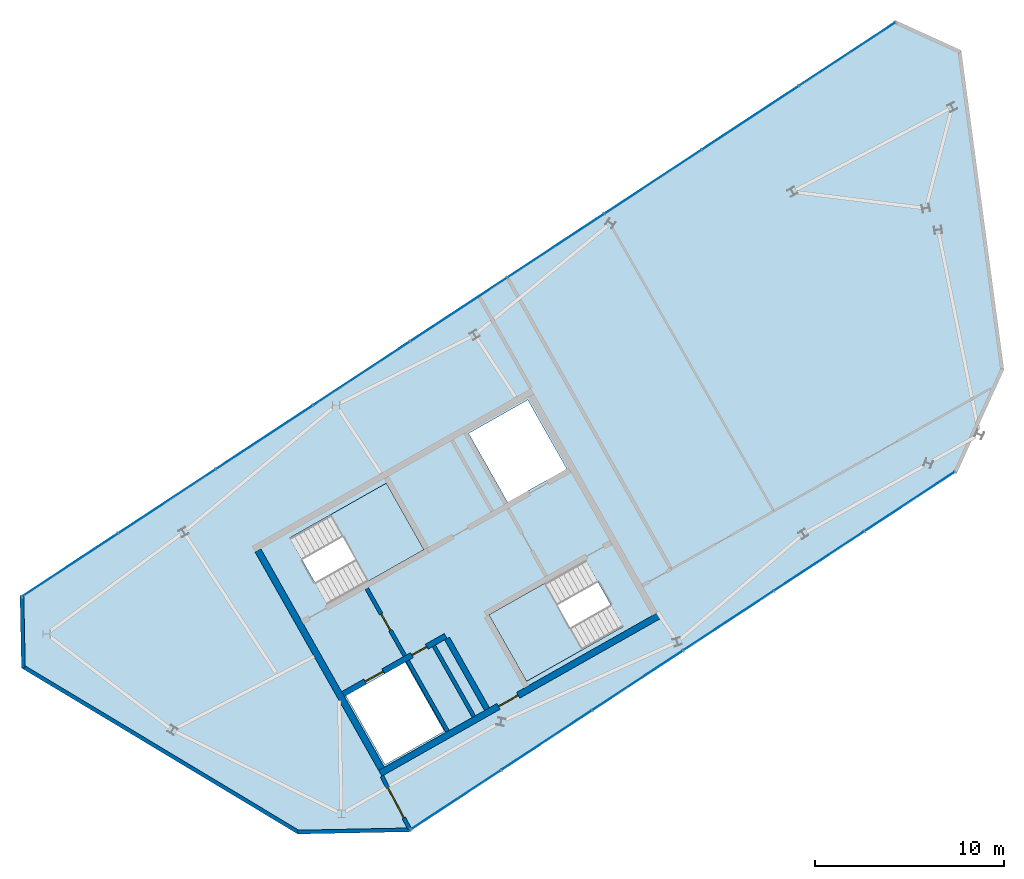
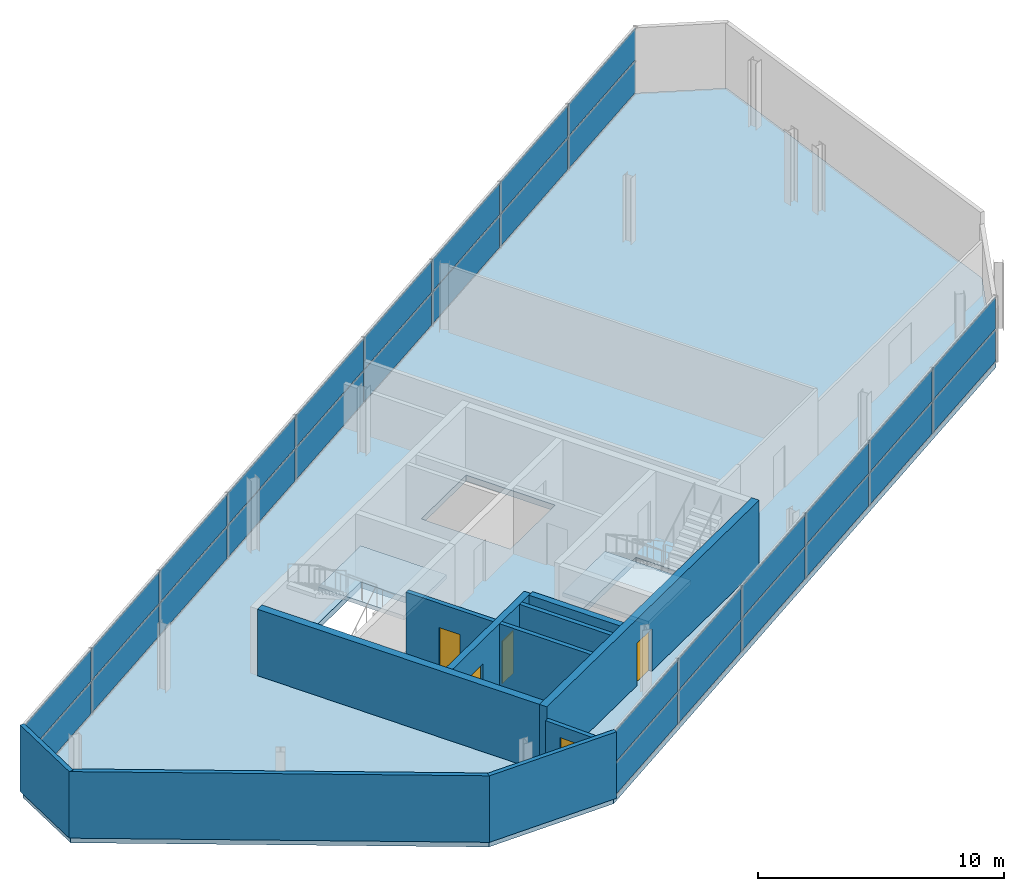
# One storey, part 6 of 8: 30 plates, 11 walls, 5 doors, 3 slabs, 5 openings, 4 elements without a shape of their own.
"""IFC4 building model written with IfcOpenShell, lengths in metres."""

from ifc_helpers import new_model, si_unit, direction, frame, frame_2d, origin, origin_2d, place, context, subcontext, project, spatial, polyline, rectangle, outline, extrude, material, layer, layer_set, type_object, element, fill, aggregate, save


model = new_model("IFC4")

# Units and contexts
model_context = context("Model", 3, precision=1e-05, world=origin(), true_north=direction((0.0, 1.0)))
body_context = subcontext(model_context, "Body", "Model", "MODEL_VIEW")
ifc_project = project(units=[si_unit("LENGTHUNIT", "METRE"), si_unit("AREAUNIT", "SQUARE_METRE"), si_unit("VOLUMEUNIT", "CUBIC_METRE"), si_unit("PLANEANGLEUNIT", "RADIAN"), si_unit("MASSUNIT", "GRAM", prefix="KILO")], contexts=[model_context])

# Site, building, storey
site_placement = place(None, origin())
site = spatial("IfcSite", under=ifc_project, at=site_placement, CompositionType="ELEMENT")
building_placement = place(site_placement, origin())
building = spatial("IfcBuilding", under=site, at=building_placement, Name="Binnacle Exchange Tower", CompositionType="ELEMENT")
storey_placement = place(building_placement, frame((0.0, 0.0, 357.699951171875)))
storey = spatial("IfcBuildingStorey", under=building, at=storey_placement, Name="L82", CompositionType="ELEMENT", Elevation=357.699951171875)

# Curtain wall, plates
ifc_material_1 = material(Name="Bronze anodised aluminium frame", Category="aluminium")
curtain_wall_type = type_object("IfcCurtainWallType", Name="External wall - curtain wall crown tiers", PredefinedType="NOTDEFINED", material=ifc_material_1)
curtain_wall_1_placement = place(storey_placement, origin())
curtain_wall_1 = element("IfcCurtainWall", 1, at=curtain_wall_1_placement, inside=storey, type_object=curtain_wall_type, Name="External wall curtain wall CW5-C203 L82", PredefinedType="NOTDEFINED")
ifc_material_2 = material(Name="Glass", Category="glass")
ifc_layer_1 = layer(ifc_material_2, 0.028076171875)
ifc_layer_set_1 = layer_set([ifc_layer_1], Name="CW5 GLASS PANEL 28")
plate_type = type_object("IfcPlateType", Name="CW5 GLASS PANEL 28", PredefinedType="CURTAIN_PANEL", material=ifc_layer_set_1)
plate_1_placement = place(storey_placement, frame((-15.05126953125, 67.7587890625, 0.05029296875), z_axis=(0.0, 0.0, 1.0), x_axis=(-0.835618452059, -0.549310297171, 0.0)))
plate_1 = element("IfcPlate", 2, at=plate_1_placement, type_object=plate_type, Name="CW5-C203 panel 1.1", PredefinedType="CURTAIN_PANEL", context=body_context, shape_type="SweptSolid", body=[
    extrude(rectangle(XDim=6.074462890625, YDim=0.028076171875, at=origin_2d()), origin(), (0.0, 0.0, 1.0), 1.574951171875),
])
plate_2_placement = place(storey_placement, frame((-15.05126953125, 67.7587890625, 1.67529296875), z_axis=(0.0, 0.0, 1.0), x_axis=(-0.835618452059, -0.549310297171, 0.0)))
plate_2 = element("IfcPlate", 3, at=plate_2_placement, type_object=plate_type, Name="CW5-C203 panel 1.2", PredefinedType="CURTAIN_PANEL", context=body_context, shape_type="SweptSolid", body=[
    extrude(rectangle(XDim=6.074462890625, YDim=0.028076171875, at=origin_2d()), origin(), (0.0, 0.0, 1.0), 1.574951171875),
])
plate_3_placement = place(storey_placement, frame((-20.18994140625, 64.380615234375, 0.05029296875), z_axis=(0.0, 0.0, 1.0), x_axis=(-0.835618452059, -0.549310297171, 0.0)))
plate_3 = element("IfcPlate", 4, at=plate_3_placement, type_object=plate_type, Name="CW5-C203 panel 2.1", PredefinedType="CURTAIN_PANEL", context=body_context, shape_type="SweptSolid", body=[
    extrude(rectangle(XDim=6.1044921875, YDim=0.028076171875, at=origin_2d()), origin(), (0.0, 0.0, 1.0), 1.574951171875),
])
plate_4_placement = place(storey_placement, frame((-20.18994140625, 64.380615234375, 1.67529296875), z_axis=(0.0, 0.0, 1.0), x_axis=(-0.835618452059, -0.549310297171, 0.0)))
plate_4 = element("IfcPlate", 5, at=plate_4_placement, type_object=plate_type, Name="CW5-C203 panel 2.2", PredefinedType="CURTAIN_PANEL", context=body_context, shape_type="SweptSolid", body=[
    extrude(rectangle(XDim=6.1044921875, YDim=0.028076171875, at=origin_2d()), origin(), (0.0, 0.0, 1.0), 1.574951171875),
])
plate_5_placement = place(storey_placement, frame((-25.34130859375, 60.994384765625, 0.05029296875), z_axis=(0.0, 0.0, 1.0), x_axis=(-0.835618452059, -0.549310297171, 0.0)))
plate_5 = element("IfcPlate", 6, at=plate_5_placement, type_object=plate_type, Name="CW5-C203 panel 3.1", PredefinedType="CURTAIN_PANEL", context=body_context, shape_type="SweptSolid", body=[
    extrude(rectangle(XDim=6.1044921875, YDim=0.028076171875, at=origin_2d()), origin(), (0.0, 0.0, 1.0), 1.574951171875),
])
plate_6_placement = place(storey_placement, frame((-25.34130859375, 60.994384765625, 1.67529296875), z_axis=(0.0, 0.0, 1.0), x_axis=(-0.835618452059, -0.549310297171, 0.0)))
plate_6 = element("IfcPlate", 7, at=plate_6_placement, type_object=plate_type, Name="CW5-C203 panel 3.2", PredefinedType="CURTAIN_PANEL", context=body_context, shape_type="SweptSolid", body=[
    extrude(rectangle(XDim=6.1044921875, YDim=0.028076171875, at=origin_2d()), origin(), (0.0, 0.0, 1.0), 1.574951171875),
])
plate_7_placement = place(storey_placement, frame((-30.492431640625, 57.608154296875, 0.05029296875), z_axis=(0.0, 0.0, 1.0), x_axis=(-0.835618452059, -0.549310297171, 0.0)))
plate_7 = element("IfcPlate", 8, at=plate_7_placement, type_object=plate_type, Name="CW5-C203 panel 4.1", PredefinedType="CURTAIN_PANEL", context=body_context, shape_type="SweptSolid", body=[
    extrude(rectangle(XDim=6.1044921875, YDim=0.028076171875, at=origin_2d()), origin(), (0.0, 0.0, 1.0), 1.574951171875),
])
plate_8_placement = place(storey_placement, frame((-30.492431640625, 57.608154296875, 1.67529296875), z_axis=(0.0, 0.0, 1.0), x_axis=(-0.835618452059, -0.549310297171, 0.0)))
plate_8 = element("IfcPlate", 9, at=plate_8_placement, type_object=plate_type, Name="CW5-C203 panel 4.2", PredefinedType="CURTAIN_PANEL", context=body_context, shape_type="SweptSolid", body=[
    extrude(rectangle(XDim=6.1044921875, YDim=0.028076171875, at=origin_2d()), origin(), (0.0, 0.0, 1.0), 1.574951171875),
])
plate_9_placement = place(storey_placement, frame((-35.643798828125, 54.221923828125, 0.05029296875), z_axis=(0.0, 0.0, 1.0), x_axis=(-0.835618452059, -0.549310297171, 0.0)))
plate_9 = element("IfcPlate", 10, at=plate_9_placement, type_object=plate_type, Name="CW5-C203 panel 5.1", PredefinedType="CURTAIN_PANEL", context=body_context, shape_type="SweptSolid", body=[
    extrude(rectangle(XDim=6.1044921875, YDim=0.028076171875, at=origin_2d()), origin(), (0.0, 0.0, 1.0), 1.574951171875),
])
plate_10_placement = place(storey_placement, frame((-35.643798828125, 54.221923828125, 1.67529296875), z_axis=(0.0, 0.0, 1.0), x_axis=(-0.835618452059, -0.549310297171, 0.0)))
plate_10 = element("IfcPlate", 11, at=plate_10_placement, type_object=plate_type, Name="CW5-C203 panel 5.2", PredefinedType="CURTAIN_PANEL", context=body_context, shape_type="SweptSolid", body=[
    extrude(rectangle(XDim=6.1044921875, YDim=0.028076171875, at=origin_2d()), origin(), (0.0, 0.0, 1.0), 1.574951171875),
])
plate_11_placement = place(storey_placement, frame((-40.794921875, 50.835693359375, 0.05029296875), z_axis=(0.0, 0.0, 1.0), x_axis=(-0.835618452059, -0.549310297171, 0.0)))
plate_11 = element("IfcPlate", 12, at=plate_11_placement, type_object=plate_type, Name="CW5-C203 panel 6.1", PredefinedType="CURTAIN_PANEL", context=body_context, shape_type="SweptSolid", body=[
    extrude(rectangle(XDim=6.1044921875, YDim=0.028076171875, at=origin_2d()), origin(), (0.0, 0.0, 1.0), 1.574951171875),
])
plate_12_placement = place(storey_placement, frame((-40.794921875, 50.835693359375, 1.67529296875), z_axis=(0.0, 0.0, 1.0), x_axis=(-0.835618452059, -0.549310297171, 0.0)))
plate_12 = element("IfcPlate", 13, at=plate_12_placement, type_object=plate_type, Name="CW5-C203 panel 6.2", PredefinedType="CURTAIN_PANEL", context=body_context, shape_type="SweptSolid", body=[
    extrude(rectangle(XDim=6.1044921875, YDim=0.028076171875, at=origin_2d()), origin(), (0.0, 0.0, 1.0), 1.574951171875),
])
plate_13_placement = place(storey_placement, frame((-45.9462890625, 47.449462890625, 0.05029296875), z_axis=(0.0, 0.0, 1.0), x_axis=(-0.835618452059, -0.549310297171, 0.0)))
plate_13 = element("IfcPlate", 14, at=plate_13_placement, type_object=plate_type, Name="CW5-C203 panel 7.1", PredefinedType="CURTAIN_PANEL", context=body_context, shape_type="SweptSolid", body=[
    extrude(rectangle(XDim=6.1044921875, YDim=0.028076171875, at=origin_2d()), origin(), (0.0, 0.0, 1.0), 1.574951171875),
])
plate_14_placement = place(storey_placement, frame((-45.9462890625, 47.449462890625, 1.67529296875), z_axis=(0.0, 0.0, 1.0), x_axis=(-0.835618452059, -0.549310297171, 0.0)))
plate_14 = element("IfcPlate", 15, at=plate_14_placement, type_object=plate_type, Name="CW5-C203 panel 7.2", PredefinedType="CURTAIN_PANEL", context=body_context, shape_type="SweptSolid", body=[
    extrude(rectangle(XDim=6.1044921875, YDim=0.028076171875, at=origin_2d()), origin(), (0.0, 0.0, 1.0), 1.574951171875),
])
plate_15_placement = place(storey_placement, frame((-51.097412109375, 44.06298828125, 0.05029296875), z_axis=(0.0, 0.0, 1.0), x_axis=(-0.835618452059, -0.549310297171, 0.0)))
plate_15 = element("IfcPlate", 16, at=plate_15_placement, type_object=plate_type, Name="CW5-C203 panel 8.1", PredefinedType="CURTAIN_PANEL", context=body_context, shape_type="SweptSolid", body=[
    extrude(rectangle(XDim=6.1044921875, YDim=0.028076171875, at=origin_2d()), origin(), (0.0, 0.0, 1.0), 1.574951171875),
])
plate_16_placement = place(storey_placement, frame((-51.097412109375, 44.06298828125, 1.67529296875), z_axis=(0.0, 0.0, 1.0), x_axis=(-0.835618452059, -0.549310297171, 0.0)))
plate_16 = element("IfcPlate", 17, at=plate_16_placement, type_object=plate_type, Name="CW5-C203 panel 8.2", PredefinedType="CURTAIN_PANEL", context=body_context, shape_type="SweptSolid", body=[
    extrude(rectangle(XDim=6.1044921875, YDim=0.028076171875, at=origin_2d()), origin(), (0.0, 0.0, 1.0), 1.574951171875),
])
plate_17_placement = place(storey_placement, frame((-56.236083984375, 40.68505859375, 0.05029296875), z_axis=(0.0, 0.0, 1.0), x_axis=(-0.835618452059, -0.549310297171, 0.0)))
plate_17 = element("IfcPlate", 18, at=plate_17_placement, type_object=plate_type, Name="CW5-C203 panel 9.1", PredefinedType="CURTAIN_PANEL", context=body_context, shape_type="SweptSolid", body=[
    extrude(rectangle(XDim=6.074462890625, YDim=0.028076171875, at=origin_2d()), origin(), (0.0, 0.0, 1.0), 1.574951171875),
])
plate_18_placement = place(storey_placement, frame((-56.236083984375, 40.68505859375, 1.67529296875), z_axis=(0.0, 0.0, 1.0), x_axis=(-0.835618452059, -0.549310297171, 0.0)))
plate_18 = element("IfcPlate", 19, at=plate_18_placement, type_object=plate_type, Name="CW5-C203 panel 9.2", PredefinedType="CURTAIN_PANEL", context=body_context, shape_type="SweptSolid", body=[
    extrude(rectangle(XDim=6.074462890625, YDim=0.028076171875, at=origin_2d()), origin(), (0.0, 0.0, 1.0), 1.574951171875),
])
aggregate(curtain_wall_1, [plate_1, plate_2, plate_3, plate_4, plate_5, plate_6, plate_7, plate_8, plate_9, plate_10, plate_11, plate_12, plate_13, plate_14, plate_15, plate_16, plate_17, plate_18])

curtain_wall_2_placement = place(storey_placement, origin())
curtain_wall_2 = element("IfcCurtainWall", 20, at=curtain_wall_2_placement, inside=storey, type_object=curtain_wall_type, Name="External wall curtain wall CW5-C207 L82", PredefinedType="NOTDEFINED")
plate_19_placement = place(storey_placement, frame((-35.789794921875, 28.241455078125, 0.05029296875), z_axis=(0.0, 0.0, 1.0), x_axis=(0.835618452059, 0.549310297171, 0.0)))
plate_19 = element("IfcPlate", 21, at=plate_19_placement, type_object=plate_type, Name="CW5-C207 panel 1.1", PredefinedType="CURTAIN_PANEL", context=body_context, shape_type="SweptSolid", body=[
    extrude(rectangle(XDim=5.67333984375, YDim=0.028076171875, at=origin_2d()), origin(), (0.0, 0.0, 1.0), 1.574951171875),
])
plate_20_placement = place(storey_placement, frame((-35.789794921875, 28.241455078125, 1.67529296875), z_axis=(0.0, 0.0, 1.0), x_axis=(0.835618452059, 0.549310297171, 0.0)))
plate_20 = element("IfcPlate", 22, at=plate_20_placement, type_object=plate_type, Name="CW5-C207 panel 1.2", PredefinedType="CURTAIN_PANEL", context=body_context, shape_type="SweptSolid", body=[
    extrude(rectangle(XDim=5.67333984375, YDim=0.028076171875, at=origin_2d()), origin(), (0.0, 0.0, 1.0), 1.574951171875),
])
plate_21_placement = place(storey_placement, frame((-30.986328125, 31.399169921875, 0.05029296875), z_axis=(0.0, 0.0, 1.0), x_axis=(0.835618452059, 0.549310297171, 0.0)))
plate_21 = element("IfcPlate", 23, at=plate_21_placement, type_object=plate_type, Name="CW5-C207 panel 2.1", PredefinedType="CURTAIN_PANEL", context=body_context, shape_type="SweptSolid", body=[
    extrude(rectangle(XDim=5.703369140625, YDim=0.028076171875, at=origin_2d()), origin(), (0.0, 0.0, 1.0), 1.574951171875),
])
plate_22_placement = place(storey_placement, frame((-30.986328125, 31.399169921875, 1.67529296875), z_axis=(0.0, 0.0, 1.0), x_axis=(0.835618452059, 0.549310297171, 0.0)))
plate_22 = element("IfcPlate", 24, at=plate_22_placement, type_object=plate_type, Name="CW5-C207 panel 2.2", PredefinedType="CURTAIN_PANEL", context=body_context, shape_type="SweptSolid", body=[
    extrude(rectangle(XDim=5.703369140625, YDim=0.028076171875, at=origin_2d()), origin(), (0.0, 0.0, 1.0), 1.574951171875),
])
plate_23_placement = place(storey_placement, frame((-26.17041015625, 34.56494140625, 0.05029296875), z_axis=(0.0, 0.0, 1.0), x_axis=(0.835618452059, 0.549310297171, 0.0)))
plate_23 = element("IfcPlate", 25, at=plate_23_placement, type_object=plate_type, Name="CW5-C207 panel 3.1", PredefinedType="CURTAIN_PANEL", context=body_context, shape_type="SweptSolid", body=[
    extrude(rectangle(XDim=5.703369140625, YDim=0.028076171875, at=origin_2d()), origin(), (0.0, 0.0, 1.0), 1.574951171875),
])
plate_24_placement = place(storey_placement, frame((-26.17041015625, 34.56494140625, 1.67529296875), z_axis=(0.0, 0.0, 1.0), x_axis=(0.835618452059, 0.549310297171, 0.0)))
plate_24 = element("IfcPlate", 26, at=plate_24_placement, type_object=plate_type, Name="CW5-C207 panel 3.2", PredefinedType="CURTAIN_PANEL", context=body_context, shape_type="SweptSolid", body=[
    extrude(rectangle(XDim=5.703369140625, YDim=0.028076171875, at=origin_2d()), origin(), (0.0, 0.0, 1.0), 1.574951171875),
])
plate_25_placement = place(storey_placement, frame((-21.354736328125, 37.730712890625, 0.05029296875), z_axis=(0.0, 0.0, 1.0), x_axis=(0.835618452059, 0.549310297171, 0.0)))
plate_25 = element("IfcPlate", 27, at=plate_25_placement, type_object=plate_type, Name="CW5-C207 panel 4.1", PredefinedType="CURTAIN_PANEL", context=body_context, shape_type="SweptSolid", body=[
    extrude(rectangle(XDim=5.703369140625, YDim=0.028076171875, at=origin_2d()), origin(), (0.0, 0.0, 1.0), 1.574951171875),
])
plate_26_placement = place(storey_placement, frame((-21.354736328125, 37.730712890625, 1.67529296875), z_axis=(0.0, 0.0, 1.0), x_axis=(0.835618452059, 0.549310297171, 0.0)))
plate_26 = element("IfcPlate", 28, at=plate_26_placement, type_object=plate_type, Name="CW5-C207 panel 4.2", PredefinedType="CURTAIN_PANEL", context=body_context, shape_type="SweptSolid", body=[
    extrude(rectangle(XDim=5.703369140625, YDim=0.028076171875, at=origin_2d()), origin(), (0.0, 0.0, 1.0), 1.574951171875),
])
plate_27_placement = place(storey_placement, frame((-16.538818359375, 40.896728515625, 0.05029296875), z_axis=(0.0, 0.0, 1.0), x_axis=(0.835618452059, 0.549310297171, 0.0)))
plate_27 = element("IfcPlate", 29, at=plate_27_placement, type_object=plate_type, Name="CW5-C207 panel 5.1", PredefinedType="CURTAIN_PANEL", context=body_context, shape_type="SweptSolid", body=[
    extrude(rectangle(XDim=5.703369140625, YDim=0.028076171875, at=origin_2d()), origin(), (0.0, 0.0, 1.0), 1.574951171875),
])
plate_28_placement = place(storey_placement, frame((-16.538818359375, 40.896728515625, 1.67529296875), z_axis=(0.0, 0.0, 1.0), x_axis=(0.835618452059, 0.549310297171, 0.0)))
plate_28 = element("IfcPlate", 30, at=plate_28_placement, type_object=plate_type, Name="CW5-C207 panel 5.2", PredefinedType="CURTAIN_PANEL", context=body_context, shape_type="SweptSolid", body=[
    extrude(rectangle(XDim=5.703369140625, YDim=0.028076171875, at=origin_2d()), origin(), (0.0, 0.0, 1.0), 1.574951171875),
])
plate_29_placement = place(storey_placement, frame((-11.7353515625, 44.05419921875, 0.05029296875), z_axis=(0.0, 0.0, 1.0), x_axis=(0.835618452059, 0.549310297171, 0.0)))
plate_29 = element("IfcPlate", 31, at=plate_29_placement, type_object=plate_type, Name="CW5-C207 panel 6.1", PredefinedType="CURTAIN_PANEL", context=body_context, shape_type="SweptSolid", body=[
    extrude(rectangle(XDim=5.67333984375, YDim=0.028076171875, at=origin_2d()), origin(), (0.0, 0.0, 1.0), 1.574951171875),
])
plate_30_placement = place(storey_placement, frame((-11.7353515625, 44.05419921875, 1.67529296875), z_axis=(0.0, 0.0, 1.0), x_axis=(0.835618452059, 0.549310297171, 0.0)))
plate_30 = element("IfcPlate", 32, at=plate_30_placement, type_object=plate_type, Name="CW5-C207 panel 6.2", PredefinedType="CURTAIN_PANEL", context=body_context, shape_type="SweptSolid", body=[
    extrude(rectangle(XDim=5.67333984375, YDim=0.028076171875, at=origin_2d()), origin(), (0.0, 0.0, 1.0), 1.574951171875),
])
aggregate(curtain_wall_2, [plate_19, plate_20, plate_21, plate_22, plate_23, plate_24, plate_25, plate_26, plate_27, plate_28, plate_29, plate_30])

# Slab
ifc_material_3 = material(Name="Concrete C35/45", Category="concrete")
ifc_layer_2 = layer(ifc_material_3, 0.300048828125)
ifc_layer_set_2 = layer_set([ifc_layer_2], Name="Floor slab 300 Concrete C35/45")
slab_type_1 = type_object("IfcSlabType", Name="Floor slab 300 Concrete C35/45", PredefinedType="FLOOR", material=ifc_layer_set_2)
slab_1_placement = place(storey_placement, frame((0.0, 0.0, -0.300048828125)))
element("IfcSlab", 33, at=slab_1_placement, inside=storey, type_object=slab_type_1, Name="S:SL:L82:01", PredefinedType="FLOOR", context=body_context, shape_type="SweptSolid", body=[
    extrude(outline(polyline([(-38.219482421875, 26.644287109375), (-44.14404296875, 26.5244140625), (-58.716064453125, 35.280029296875), (-58.79150390625, 39.00537109375), (-12.49609375, 69.4384765625), (-9.106201171875, 67.89208984375), (-6.84619140625, 51.04296875), (-9.3056640625, 45.6513671875), (-38.219482421875, 26.644287109375)]), holes=[polyline([(-41.61279296875, 33.756591796875), (-39.544677734375, 30.10107421875), (-36.411376953125, 31.873779296875), (-38.4794921875, 35.529296875), (-41.61279296875, 33.756591796875)]), polyline([(-26.9287109375, 37.4111328125), (-28.923095703125, 40.93603515625), (-34.040771484375, 38.04052734375), (-32.04638671875, 34.515625), (-26.9287109375, 37.4111328125)]), polyline([(-44.598388671875, 42.12060546875), (-42.604248046875, 38.595703125), (-37.486572265625, 41.4912109375), (-39.480712890625, 45.01611328125), (-44.598388671875, 42.12060546875)]), polyline([(-35.115966796875, 47.657958984375), (-33.047607421875, 44.00244140625), (-29.914306640625, 45.775390625), (-31.982666015625, 49.430908203125), (-35.115966796875, 47.657958984375)])]), origin(), (0.0, 0.0, 1.0), 0.300048828125),
])

# Stair, slab
stair_type = type_object("IfcStairType", Name="STAIR 20 RISERS 180", PredefinedType="HALF_TURN_STAIR", material=ifc_material_3)
stair_1_placement = place(storey_placement, origin())
stair_1 = element("IfcStair", 34, at=stair_1_placement, inside=storey, type_object=stair_type, Name="L82 Escape stair A1", PredefinedType="HALF_TURN_STAIR")
ifc_layer_3 = layer(ifc_material_3, 0.199951171875)
ifc_layer_set_3 = layer_set([ifc_layer_3], Name="STAIR LANDING 200")
slab_type_2 = type_object("IfcSlabType", Name="STAIR LANDING 200", PredefinedType="LANDING", material=ifc_layer_set_3)
slab_2_placement = place(storey_placement, frame((0.0, 0.0, 1.60009765625)))
slab_2 = element("IfcSlab", 35, at=slab_2_placement, type_object=slab_type_2, Name="STA1 landing 1", PredefinedType="LANDING", context=body_context, shape_type="SweptSolid", body=[
    extrude(outline(polyline([(-40.44580078125, 39.81689453125), (-37.486572265625, 41.4912109375), (-39.48095703125, 45.01611328125), (-42.43994140625, 43.341796875), (-40.44580078125, 39.81689453125)])), origin(), (0.0, 0.0, 1.0), 0.199951171875),
])
aggregate(stair_1, [slab_2])

stair_2_placement = place(storey_placement, origin())
stair_2 = element("IfcStair", 36, at=stair_2_placement, inside=storey, type_object=stair_type, Name="L82 Escape stair A2", PredefinedType="HALF_TURN_STAIR")
slab_3_placement = place(storey_placement, frame((0.0, 0.0, 1.60009765625)))
slab_3 = element("IfcSlab", 37, at=slab_3_placement, type_object=slab_type_2, Name="STA2 landing 1", PredefinedType="LANDING", context=body_context, shape_type="SweptSolid", body=[
    extrude(outline(polyline([(-31.08154296875, 39.71484375), (-34.040771484375, 38.04052734375), (-32.04638671875, 34.515625), (-29.087158203125, 36.18994140625), (-31.08154296875, 39.71484375)])), origin(), (0.0, 0.0, 1.0), 0.199951171875),
])
aggregate(stair_2, [slab_3])

# Wall, openings, doors
ifc_material_4 = material(Name="Concrete C70/85", Category="concrete")
ifc_layer_4 = layer(ifc_material_4, 0.300048828125)
ifc_layer_set_4 = layer_set([ifc_layer_4], Name="Core wall - front 300")
wall_type_1 = type_object("IfcWallType", Name="Core wall - front 300", PredefinedType="SOLIDWALL", material=ifc_layer_set_4)
wall_1_placement = place(storey_placement, frame((-41.773681640625, 33.837890625, 0.0), z_axis=(0.0, 0.0, 1.0), x_axis=(0.870355415866, 0.492424055132, 0.0)))
wall_1 = element("IfcWall", 38, at=wall_1_placement, inside=storey, type_object=wall_type_1, Name="Core wall CRWA2", PredefinedType="SOLIDWALL", context=body_context, shape_type="SweptSolid", body=[
    extrude(rectangle(XDim=6.25, YDim=0.300048828125, at=frame_2d((3.125, 0.0))), origin(), (0.0, 0.0, 1.0), 3.300048828125),
])
opening_1_placement = place(wall_1_placement, frame((1.349853515625, 0.0, 0.0)))
opening_1 = element("IfcOpeningElement", 39, at=opening_1_placement, cuts=wall_1, Name="Opening LD12", PredefinedType="OPENING", context=body_context, shape_type="SweptSolid", body=[
    extrude(rectangle(XDim=1.10009765625, YDim=2.10009765625, at=frame_2d((0.550048828125, 1.050048828125))), frame((0.0, 0.159912109375, 0.0), z_axis=(0.0, -1.0, 0.0), x_axis=(1.0, 0.0, 0.0)), (0.0, 0.0, 1.0), 0.320068359375),
])
opening_2_placement = place(wall_1_placement, frame((4.199951171875, 0.0, 0.0)))
opening_2 = element("IfcOpeningElement", 40, at=opening_2_placement, cuts=wall_1, Name="Opening DA14", PredefinedType="OPENING", context=body_context, shape_type="SweptSolid", body=[
    extrude(rectangle(XDim=0.89990234375, YDim=2.10009765625, at=frame_2d((0.449951171875, 1.050048828125))), frame((0.0, 0.159912109375, 0.0), z_axis=(0.0, -1.0, 0.0), x_axis=(1.0, 0.0, 0.0)), (0.0, 0.0, 1.0), 0.320068359375),
])
ifc_material_5 = material(Name="Steel door leaf", Category="steel")
door_type_1 = type_object("IfcDoorType", Name="Fire door - lift landing 1100", OperationType="NOTDEFINED", PredefinedType="DOOR", material=ifc_material_5)
door_1_placement = place(opening_1_placement, origin())
door_1 = element("IfcDoor", 41, at=door_1_placement, inside=storey, type_object=door_type_1, Name="Landing door LD12 L82", OperationType="DOUBLE_DOOR_SLIDING", OverallHeight=2.10009765625, OverallWidth=1.10009765625, PredefinedType="DOOR", context=body_context, shape_type="SweptSolid", body=[
    extrude(rectangle(XDim=1.10009765625, YDim=2.10009765625, at=frame_2d((0.550048828125, 1.050048828125))), frame((0.0, 0.02490234375, 0.0), z_axis=(0.0, -1.0, 0.0), x_axis=(1.0, 0.0, 0.0)), (0.0, 0.0, 1.0), 0.050048828125),
])
fill(opening_1, door_1)
door_type_2 = type_object("IfcDoorType", Name="Fire door 900", OperationType="NOTDEFINED", PredefinedType="DOOR", material=ifc_material_5)
door_2_placement = place(opening_2_placement, frame((0.89990234375, 0.0, 0.0), z_axis=(0.0, 0.0, 1.0), x_axis=(-1.0, 0.0, 0.0)))
door_2 = element("IfcDoor", 42, at=door_2_placement, inside=storey, type_object=door_type_2, Name="Core room door UPS CUPBOARD", OperationType="SINGLE_SWING_LEFT", OverallHeight=2.10009765625, OverallWidth=0.89990234375, PredefinedType="DOOR", context=body_context, shape_type="SweptSolid", body=[
    extrude(rectangle(XDim=0.89990234375, YDim=2.10009765625, at=frame_2d((0.449951171875, 1.050048828125))), frame((0.0, 0.02490234375, 0.0), z_axis=(0.0, -1.0, 0.0), x_axis=(1.0, 0.0, 0.0)), (0.0, 0.0, 1.0), 0.050048828125),
])
fill(opening_2, door_2)

# Wall
wall_2_placement = place(storey_placement, frame((-36.260009765625, 36.784912109375, 0.0), z_axis=(0.0, 0.0, 1.0), x_axis=(0.492435133428, -0.870349147967, 0.0)))
element("IfcWall", 43, at=wall_2_placement, inside=storey, type_object=wall_type_1, Name="Core wall CRWA13", PredefinedType="SOLIDWALL", context=body_context, shape_type="SweptSolid", body=[
    extrude(rectangle(XDim=4.2998046875, YDim=0.300048828125, at=frame_2d((2.14990234375, 0.0))), origin(), (0.0, 0.0, 1.0), 3.300048828125),
])

# Wall, opening, door
ifc_layer_5 = layer(ifc_material_4, 0.35009765625)
ifc_layer_set_5 = layer_set([ifc_layer_5], Name="Core wall - outer 350")
wall_type_2 = type_object("IfcWallType", Name="Core wall - outer 350", PredefinedType="SOLIDWALL", material=ifc_layer_set_5)
wall_3_placement = place(storey_placement, frame((-39.80078125, 29.64013671875, 0.0), z_axis=(0.0, 0.0, 1.0), x_axis=(0.870359753402, 0.492416388494, 0.0)))
wall_3 = element("IfcWall", 44, at=wall_3_placement, inside=storey, type_object=wall_type_2, Name="Core wall CRWA1", PredefinedType="SOLIDWALL", context=body_context, shape_type="SweptSolid", body=[
    extrude(rectangle(XDim=17.0, YDim=0.35009765625, at=frame_2d((8.5, 0.0))), origin(), (0.0, 0.0, 1.0), 3.300048828125),
])
opening_3_placement = place(wall_3_placement, frame((7.199951171875, 0.0, 0.0)))
opening_3 = element("IfcOpeningElement", 45, at=opening_3_placement, cuts=wall_3, Name="Opening DA7", PredefinedType="OPENING", context=body_context, shape_type="SweptSolid", body=[
    extrude(rectangle(XDim=1.199951171875, YDim=2.10009765625, at=frame_2d((0.60009765625, 1.050048828125))), frame((0.0, 0.18505859375, 0.0), z_axis=(0.0, -1.0, 0.0), x_axis=(1.0, 0.0, 0.0)), (0.0, 0.0, 1.0), 0.3701171875),
])
door_type_3 = type_object("IfcDoorType", Name="Fire door 1200", OperationType="NOTDEFINED", PredefinedType="DOOR", material=ifc_material_5)
door_3_placement = place(opening_3_placement, frame((1.199951171875, 0.0, 0.0), z_axis=(0.0, 0.0, 1.0), x_axis=(-1.0, 0.0, 0.0)))
door_3 = element("IfcDoor", 46, at=door_3_placement, inside=storey, type_object=door_type_3, Name="Lift lobby entrance door core A", OperationType="SINGLE_SWING_RIGHT", OverallHeight=2.10009765625, OverallWidth=1.199951171875, PredefinedType="DOOR", context=body_context, shape_type="SweptSolid", body=[
    extrude(rectangle(XDim=1.199951171875, YDim=2.10009765625, at=frame_2d((0.60009765625, 1.050048828125))), frame((0.0, 0.02490234375, 0.0), z_axis=(0.0, -1.0, 0.0), x_axis=(1.0, 0.0, 0.0)), (0.0, 0.0, 1.0), 0.050048828125),
])
fill(opening_3, door_3)

# Walls
wall_4_placement = place(storey_placement, frame((-46.283935546875, 41.454345703125, 0.0), z_axis=(0.0, 0.0, 1.0), x_axis=(0.492429810477, -0.870352159619, 0.0)))
element("IfcWall", 47, at=wall_4_placement, inside=storey, type_object=wall_type_2, Name="Core wall CRWA7", PredefinedType="SOLIDWALL", context=body_context, shape_type="SweptSolid", body=[
    extrude(rectangle(XDim=13.300048828125, YDim=0.35009765625, at=frame_2d((6.64990234375, 0.0))), origin(), (0.0, 0.0, 1.0), 3.300048828125),
])
ifc_material_6 = material(Name="Bronze aluminium louvre", Category="aluminium")
ifc_layer_6 = layer(ifc_material_6, 0.199951171875)
ifc_layer_set_6 = layer_set([ifc_layer_6], Name="External wall - crown louvre 200")
wall_type_3 = type_object("IfcWallType", Name="External wall - crown louvre 200", PredefinedType="STANDARD", material=ifc_layer_set_6)
wall_5_placement = place(storey_placement, frame((-58.71484375, 35.224853515625, 0.0), z_axis=(0.0, 0.0, 1.0), x_axis=(-0.020271225376, 0.999794517599, 0.0)))
element("IfcWall", 48, at=wall_5_placement, inside=storey, type_object=wall_type_3, Name="External wall EW-C204 L82", PredefinedType="STANDARD", context=body_context, shape_type="SweptSolid", body=[
    extrude(rectangle(XDim=3.865966796875, YDim=0.199951171875, at=frame_2d((1.93310546875, 0.0))), origin(), (0.0, 0.0, 1.0), 3.300048828125),
])
wall_6_placement = place(storey_placement, frame((-44.119384765625, 26.509765625, 0.0), z_axis=(0.0, 0.0, 1.0), x_axis=(-0.857172484352, 0.515029447769, 0.0)))
element("IfcWall", 49, at=wall_6_placement, inside=storey, type_object=wall_type_3, Name="External wall EW-C205 L82", PredefinedType="STANDARD", context=body_context, shape_type="SweptSolid", body=[
    extrude(rectangle(XDim=17.084228515625, YDim=0.199951171875, at=frame_2d((8.5419921875, 0.0))), origin(), (0.0, 0.0, 1.0), 3.300048828125),
])
wall_7_placement = place(storey_placement, frame((-38.1435546875, 26.64599609375, 0.0), z_axis=(0.0, 0.0, 1.0), x_axis=(-0.999795108808, -0.020242045449, 0.0)))
element("IfcWall", 50, at=wall_7_placement, inside=storey, type_object=wall_type_3, Name="External wall EW-C206 L82", PredefinedType="STANDARD", context=body_context, shape_type="SweptSolid", body=[
    extrude(rectangle(XDim=6.030517578125, YDim=0.199951171875, at=frame_2d((3.01513671875, 0.0))), origin(), (0.0, 0.0, 1.0), 3.300048828125),
])

# Wall, opening, door
ifc_material_7 = material(Name="Masonry block wall", Category="masonry")
ifc_layer_7 = layer(ifc_material_7, 0.199951171875)
ifc_layer_set_7 = layer_set([ifc_layer_7], Name="Fire wall - block 200")
wall_type_4 = type_object("IfcWallType", Name="Fire wall - block 200", PredefinedType="PARTITIONING", material=ifc_layer_set_7)
wall_8_placement = place(storey_placement, frame((-39.715087890625, 29.488037109375, 0.0), z_axis=(0.0, 0.0, 1.0), x_axis=(0.465711249011, -0.884936739289, 0.0)))
wall_8 = element("IfcWall", 51, at=wall_8_placement, inside=storey, type_object=wall_type_4, Name="Partition W01", PredefinedType="PARTITIONING", context=body_context, shape_type="SweptSolid", body=[
    extrude(rectangle(XDim=3.14599609375, YDim=0.199951171875, at=frame_2d((1.572998046875, 0.0))), origin(), (0.0, 0.0, 1.0), 2.679931640625),
])
opening_4_placement = place(wall_8_placement, frame((0.699951171875, 0.0, 0.0)))
opening_4 = element("IfcOpeningElement", 52, at=opening_4_placement, cuts=wall_8, Name="Opening DL81-04", PredefinedType="OPENING", context=body_context, shape_type="SweptSolid", body=[
    extrude(rectangle(XDim=1.800048828125, YDim=2.10009765625, at=frame_2d((0.89990234375, 1.050048828125))), frame((0.0, 0.10986328125, 0.0), z_axis=(0.0, -1.0, 0.0), x_axis=(1.0, 0.0, 0.0)), (0.0, 0.0, 1.0), 0.219970703125),
])
door_type_4 = type_object("IfcDoorType", Name="Fire door 1800", OperationType="NOTDEFINED", PredefinedType="DOOR", material=ifc_material_5)
door_4_placement = place(opening_4_placement, frame((1.800048828125, 0.0, 0.0), z_axis=(0.0, 0.0, 1.0), x_axis=(-1.0, 0.0, 0.0)))
door_4 = element("IfcDoor", 53, at=door_4_placement, inside=storey, type_object=door_type_4, Name="Door DL81-04", OperationType="DOUBLE_DOOR_SINGLE_SWING", OverallHeight=2.10009765625, OverallWidth=1.800048828125, PredefinedType="DOOR", context=body_context, shape_type="SweptSolid", body=[
    extrude(rectangle(XDim=1.800048828125, YDim=2.10009765625, at=frame_2d((0.89990234375, 1.050048828125))), frame((0.0, 0.02490234375, 0.0), z_axis=(0.0, -1.0, 0.0), x_axis=(1.0, 0.0, 0.0)), (0.0, 0.0, 1.0), 0.050048828125),
])
fill(opening_4, door_4)

ifc_layer_8 = layer(ifc_material_7, 0.199951171875)
ifc_layer_set_8 = layer_set([ifc_layer_8], Name="Fire wall - vestibule 200")
wall_type_5 = type_object("IfcWallType", Name="Fire wall - vestibule 200", PredefinedType="PARTITIONING", material=ifc_layer_set_8)
wall_9_placement = place(storey_placement, frame((-40.515625, 39.4326171875, 0.0), z_axis=(0.0, 0.0, 1.0), x_axis=(0.492453559952, -0.87033872216, 0.0)))
wall_9 = element("IfcWall", 54, at=wall_9_placement, inside=storey, type_object=wall_type_5, Name="Core wall CRWA10", PredefinedType="PARTITIONING", context=body_context, shape_type="SweptSolid", body=[
    extrude(rectangle(XDim=4.099853515625, YDim=0.199951171875, at=frame_2d((2.0498046875, 0.0))), origin(), (0.0, 0.0, 1.0), 3.300048828125),
])
opening_5_placement = place(wall_9_placement, frame((1.550048828125, 0.0, 0.0)))
opening_5 = element("IfcOpeningElement", 55, at=opening_5_placement, cuts=wall_9, Name="Opening DA3", PredefinedType="OPENING", context=body_context, shape_type="SweptSolid", body=[
    extrude(rectangle(XDim=1.0, YDim=2.10009765625, at=frame_2d((0.5, 1.050048828125))), frame((0.0, 0.10986328125, 0.0), z_axis=(0.0, -1.0, 0.0), x_axis=(1.0, 0.0, 0.0)), (0.0, 0.0, 1.0), 0.219970703125),
])
door_type_5 = type_object("IfcDoorType", Name="Fire door 1000", OperationType="NOTDEFINED", PredefinedType="DOOR", material=ifc_material_5)
door_5_placement = place(opening_5_placement, frame((1.0, 0.0, 0.0), z_axis=(0.0, 0.0, 1.0), x_axis=(-1.0, 0.0, 0.0)))
door_5 = element("IfcDoor", 56, at=door_5_placement, inside=storey, type_object=door_type_5, Name="Vestibule door VEST-W", OperationType="SINGLE_SWING_LEFT", OverallHeight=2.10009765625, OverallWidth=1.0, PredefinedType="DOOR", context=body_context, shape_type="SweptSolid", body=[
    extrude(rectangle(XDim=1.0, YDim=2.10009765625, at=frame_2d((0.5, 1.050048828125))), frame((0.0, 0.02490234375, 0.0), z_axis=(0.0, -1.0, 0.0), x_axis=(1.0, 0.0, 0.0)), (0.0, 0.0, 1.0), 0.050048828125),
])
fill(opening_5, door_5)

# Walls
ifc_layer_9 = layer(ifc_material_7, 0.199951171875)
ifc_layer_set_9 = layer_set([ifc_layer_9], Name="Riser wall 200")
wall_type_6 = type_object("IfcWallType", Name="Riser wall 200", PredefinedType="SOLIDWALL", material=ifc_layer_set_9)
wall_10_placement = place(storey_placement, frame((-36.956298828125, 36.39111328125, 0.0), z_axis=(0.0, 0.0, 1.0), x_axis=(0.492410799949, -0.870362915164, 0.0)))
element("IfcWall", 57, at=wall_10_placement, inside=storey, type_object=wall_type_6, Name="Core wall CRWA12", PredefinedType="SOLIDWALL", context=body_context, shape_type="SweptSolid", body=[
    extrude(rectangle(XDim=4.300048828125, YDim=0.199951171875, at=frame_2d((2.14990234375, 0.0))), origin(), (0.0, 0.0, 1.0), 3.300048828125),
])
ifc_layer_10 = layer(ifc_material_7, 0.199951171875)
ifc_layer_set_10 = layer_set([ifc_layer_10], Name="Shaft wall 200")
wall_type_7 = type_object("IfcWallType", Name="Shaft wall 200", PredefinedType="SOLIDWALL", material=ifc_layer_set_10)
wall_11_placement = place(storey_placement, frame((-38.348876953125, 35.603271484375, 0.0), z_axis=(0.0, 0.0, 1.0), x_axis=(0.492410799949, -0.870362915164, 0.0)))
element("IfcWall", 58, at=wall_11_placement, inside=storey, type_object=wall_type_7, Name="Core wall CRWA9", PredefinedType="SOLIDWALL", context=body_context, shape_type="SweptSolid", body=[
    extrude(rectangle(XDim=4.300048828125, YDim=0.199951171875, at=frame_2d((2.14990234375, 0.0))), origin(), (0.0, 0.0, 1.0), 3.300048828125),
])

save(model, "model.ifc")
